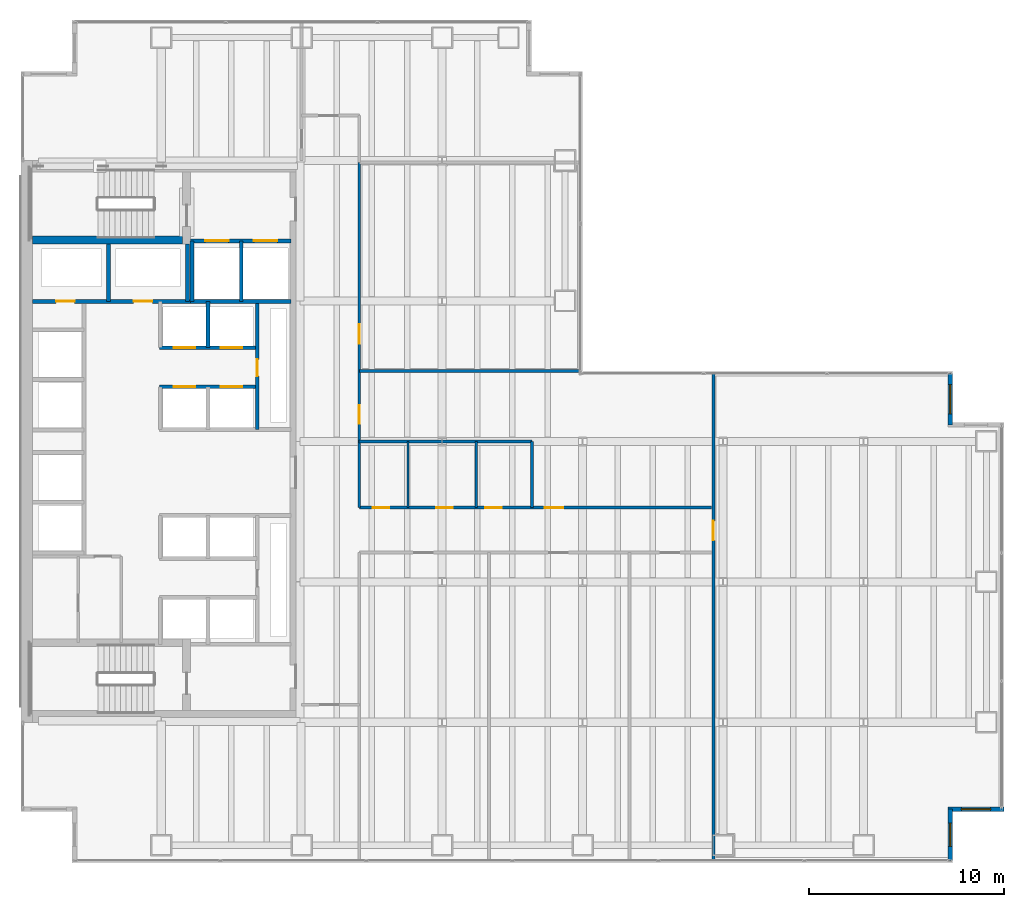
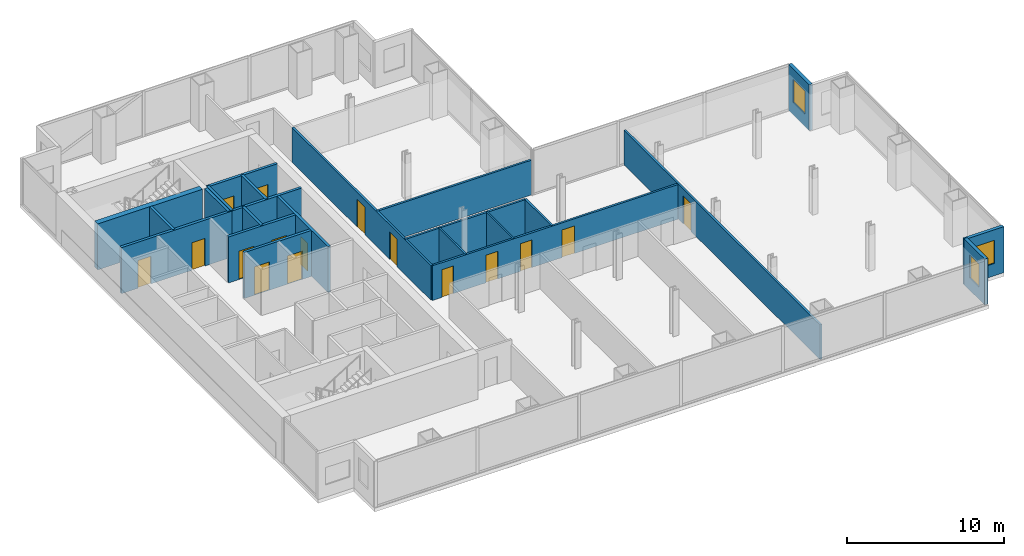
# One storey, part 21 of 25: 23 walls, 16 doors, 3 windows, 19 openings.
"""IFC4 building model written with IfcOpenShell, lengths in metres."""

from ifc_helpers import new_model, si_unit, direction, frame, frame_2d, origin, place, context, subcontext, project, spatial, rectangle, extrude, material, layer, layer_set, type_object, element, fill, save


model = new_model("IFC4")

# Units and contexts
model_context = context("Model", 3, precision=1e-05, world=origin(), true_north=direction((0.0, 1.0)))
body_context = subcontext(model_context, "Body", "Model", "MODEL_VIEW")
ifc_project = project(units=[si_unit("LENGTHUNIT", "METRE"), si_unit("AREAUNIT", "SQUARE_METRE"), si_unit("VOLUMEUNIT", "CUBIC_METRE"), si_unit("PLANEANGLEUNIT", "RADIAN"), si_unit("MASSUNIT", "GRAM", prefix="KILO")], contexts=[model_context])

# Site, building, storey
site_placement = place(None, origin())
site = spatial("IfcSite", under=ifc_project, at=site_placement, CompositionType="ELEMENT")
building_placement = place(site_placement, origin())
building = spatial("IfcBuilding", under=site, at=building_placement, Name="Cobrela Telecom Tower", CompositionType="ELEMENT")
storey_placement = place(building_placement, frame((0.0, 0.0, 42.699951171875)))
storey = spatial("IfcBuildingStorey", under=building, at=storey_placement, Name="L10", CompositionType="ELEMENT", Elevation=42.699951171875)

# Wall, opening, window
ifc_material_1 = material(Name="Concrete C40/50", Category="concrete")
ifc_layer_1 = layer(ifc_material_1, 0.239990234375)
ifc_layer_set_1 = layer_set([ifc_layer_1], Name="Concrete C40/50")
wall_type_1 = type_object("IfcWallType", Name="WALL-EXT-300", PredefinedType="STANDARD", material=ifc_layer_set_1)
wall_1_placement = place(storey_placement, frame((47.64990234375, 25.080078125, 0.0), z_axis=(0.0, 0.0, 1.0), x_axis=(0.0, -1.0, 0.0)))
wall_1 = element("IfcWall", 1, at=wall_1_placement, inside=storey, type_object=wall_type_1, Name="L10 Insulated Facade Wall 12", PredefinedType="STANDARD", context=body_context, shape_type="SweptSolid", body=[
    extrude(rectangle(XDim=2.630126953125, YDim=0.239990234375, at=frame_2d((1.31494140625, 0.0))), origin(), (0.0, 0.0, 1.0), 3.570068359375),
])
opening_1_placement = place(wall_1_placement, frame((0.56494140625, 0.0, 0.949951171875)))
opening_1 = element("IfcOpeningElement", 2, at=opening_1_placement, cuts=wall_1, Name="Opening WN-45", PredefinedType="OPENING", context=body_context, shape_type="SweptSolid", body=[
    extrude(rectangle(XDim=1.5, YDim=1.800048828125, at=frame_2d((0.75, 0.89990234375))), frame((0.0, 0.1318359375, 0.0), z_axis=(0.0, -1.0, 0.0), x_axis=(1.0, 0.0, 0.0)), (0.0, 0.0, 1.0), 0.263916015625),
])
ifc_material_2 = material(Name="Solar-Control Bronze Low-E Glass", Category="glass")
window_type_1 = type_object("IfcWindowType", Name="WIN-MOD-1500", PartitioningType="SINGLE_PANEL", PredefinedType="WINDOW", material=ifc_material_2)
window_1_placement = place(opening_1_placement, origin())
window_1 = element("IfcWindow", 3, at=window_1_placement, inside=storey, type_object=window_type_1, Name="L10 Corner Notch Facade Window 046", OverallHeight=1.800048828125, OverallWidth=1.5, PartitioningType="SINGLE_PANEL", PredefinedType="WINDOW", context=body_context, shape_type="SweptSolid", body=[
    extrude(rectangle(XDim=1.5, YDim=1.800048828125, at=frame_2d((0.75, 0.89990234375))), frame((0.0, 0.030029296875, 0.0), z_axis=(0.0, -1.0, 0.0), x_axis=(1.0, 0.0, 0.0)), (0.0, 0.0, 1.0), 0.06005859375),
])
fill(opening_1, window_1)

wall_2_placement = place(storey_placement, frame((50.39990234375, 2.75, 0.0), z_axis=(0.0, 0.0, 1.0), x_axis=(-1.0, 0.0, 0.0)))
wall_2 = element("IfcWall", 4, at=wall_2_placement, inside=storey, type_object=wall_type_1, Name="L10 Insulated Facade Wall 15", PredefinedType="STANDARD", context=body_context, shape_type="SweptSolid", body=[
    extrude(rectangle(XDim=2.869873046875, YDim=0.239990234375, at=frame_2d((1.43505859375, 0.0))), origin(), (0.0, 0.0, 1.0), 3.570068359375),
])
opening_2_placement = place(wall_2_placement, frame((0.68505859375, 0.0, 0.949951171875)))
opening_2 = element("IfcOpeningElement", 5, at=opening_2_placement, cuts=wall_2, Name="Opening WN-45", PredefinedType="OPENING", context=body_context, shape_type="SweptSolid", body=[
    extrude(rectangle(XDim=1.5, YDim=1.800048828125, at=frame_2d((0.75, 0.89990234375))), frame((0.0, 0.1318359375, 0.0), z_axis=(0.0, -1.0, 0.0), x_axis=(1.0, 0.0, 0.0)), (0.0, 0.0, 1.0), 0.263916015625),
])
window_2_placement = place(opening_2_placement, origin())
window_2 = element("IfcWindow", 6, at=window_2_placement, inside=storey, type_object=window_type_1, Name="L10 Corner Notch Facade Window 048", OverallHeight=1.800048828125, OverallWidth=1.5, PartitioningType="SINGLE_PANEL", PredefinedType="WINDOW", context=body_context, shape_type="SweptSolid", body=[
    extrude(rectangle(XDim=1.5, YDim=1.800048828125, at=frame_2d((0.75, 0.89990234375))), frame((0.0, 0.030029296875, 0.0), z_axis=(0.0, -1.0, 0.0), x_axis=(1.0, 0.0, 0.0)), (0.0, 0.0, 1.0), 0.06005859375),
])
fill(opening_2, window_2)

wall_3_placement = place(storey_placement, frame((47.64990234375, 2.75, 0.0), z_axis=(0.0, 0.0, 1.0), x_axis=(0.0, -1.0, 0.0)))
wall_3 = element("IfcWall", 7, at=wall_3_placement, inside=storey, type_object=wall_type_1, Name="L10 Insulated Facade Wall 16", PredefinedType="STANDARD", context=body_context, shape_type="SweptSolid", body=[
    extrude(rectangle(XDim=2.6298828125, YDim=0.239990234375, at=frame_2d((1.31494140625, 0.0))), origin(), (0.0, 0.0, 1.0), 3.570068359375),
])
opening_3_placement = place(wall_3_placement, frame((0.715087890625, 0.0, 0.949951171875)))
opening_3 = element("IfcOpeningElement", 8, at=opening_3_placement, cuts=wall_3, Name="Opening WN-19", PredefinedType="OPENING", context=body_context, shape_type="SweptSolid", body=[
    extrude(rectangle(XDim=1.199951171875, YDim=1.800048828125, at=frame_2d((0.60009765625, 0.89990234375))), frame((0.0, 0.1318359375, 0.0), z_axis=(0.0, -1.0, 0.0), x_axis=(1.0, 0.0, 0.0)), (0.0, 0.0, 1.0), 0.263916015625),
])
window_type_2 = type_object("IfcWindowType", Name="WIN-MOD-1200", PartitioningType="SINGLE_PANEL", PredefinedType="WINDOW", material=ifc_material_2)
window_3_placement = place(opening_3_placement, origin())
window_3 = element("IfcWindow", 9, at=window_3_placement, inside=storey, type_object=window_type_2, Name="L10 Corner Notch Facade Window 049", OverallHeight=1.800048828125, OverallWidth=1.199951171875, PartitioningType="SINGLE_PANEL", PredefinedType="WINDOW", context=body_context, shape_type="SweptSolid", body=[
    extrude(rectangle(XDim=1.199951171875, YDim=1.800048828125, at=frame_2d((0.60009765625, 0.89990234375))), frame((0.0, 0.030029296875, 0.0), z_axis=(0.0, -1.0, 0.0), x_axis=(1.0, 0.0, 0.0)), (0.0, 0.0, 1.0), 0.06005859375),
])
fill(opening_3, window_3)

# Walls
ifc_material_3 = material(Name="Fire-Rated Gypsum Plasterboard")
ifc_layer_2 = layer(ifc_material_3, 0.125)
ifc_layer_set_2 = layer_set([ifc_layer_2], Name="Fire-Rated Gypsum Plasterboard")
wall_type_2 = type_object("IfcWallType", Name="WALL-PART-125", PredefinedType="PARTITIONING", material=ifc_layer_set_2)
for number, where, z_axis, x_axis, name in (
    (10, (19.85009765625, 18.199951171875, 0.0), (0.0, 0.0, 1.0), (0.0, 1.0, 0.0), "L10 Interior Partition W-WCV-1"),
    (11, (23.35009765625, 18.199951171875, 0.0), (0.0, 0.0, 1.0), (0.0, 1.0, 0.0), "L10 Interior Partition W-WCV-2"),
):
    element("IfcWall", number, at=place(storey_placement, frame(where, z_axis=z_axis, x_axis=x_axis)), inside=storey, type_object=wall_type_2, Name=name, PredefinedType="PARTITIONING", context=body_context, shape_type="SweptSolid", body=[
        extrude(rectangle(XDim=3.400146484375, YDim=0.125, at=frame_2d((1.7001953125, 0.0))), origin(), (0.0, 0.0, 1.0), 2.698974609375),
    ])

# Wall, openings, doors
ifc_layer_3 = layer(ifc_material_3, 0.14990234375)
ifc_layer_set_3 = layer_set([ifc_layer_3], Name="Fire-Rated Gypsum Plasterboard")
wall_type_3 = type_object("IfcWallType", Name="WALL-PART-150", PredefinedType="PARTITIONING", material=ifc_layer_set_3)
wall_4_placement = place(storey_placement, frame((17.35009765625, 18.199951171875, 0.0), z_axis=(0.0, 0.0, 1.0), x_axis=(0.0, 1.0, 0.0)))
wall_4 = element("IfcWall", 12, at=wall_4_placement, inside=storey, type_object=wall_type_3, Name="L10 Interior Partition W-C-E2", PredefinedType="PARTITIONING", context=body_context, shape_type="SweptSolid", body=[
    extrude(rectangle(XDim=17.699951171875, YDim=0.14990234375, at=frame_2d((8.85009765625, 0.0))), origin(), (0.0, 0.0, 1.0), 2.698974609375),
])
opening_4_placement = place(wall_4_placement, frame((4.300048828125, 0.0, 0.0)))
opening_4 = element("IfcOpeningElement", 13, at=opening_4_placement, cuts=wall_4, Name="Opening DR-67", PredefinedType="OPENING", context=body_context, shape_type="SweptSolid", body=[
    extrude(rectangle(XDim=0.949951171875, YDim=2.14990234375, at=frame_2d((0.47509765625, 1.074951171875))), frame((0.0, 0.0869140625, 0.0), z_axis=(0.0, -1.0, 0.0), x_axis=(1.0, 0.0, 0.0)), (0.0, 0.0, 1.0), 0.173828125),
])
opening_5_placement = place(wall_4_placement, frame((8.39990234375, 0.0, 0.0)))
opening_5 = element("IfcOpeningElement", 14, at=opening_5_placement, cuts=wall_4, Name="Opening DR-31", PredefinedType="OPENING", context=body_context, shape_type="SweptSolid", body=[
    extrude(rectangle(XDim=1.0, YDim=2.14990234375, at=frame_2d((0.5, 1.074951171875))), frame((0.0, 0.0869140625, 0.0), z_axis=(0.0, -1.0, 0.0), x_axis=(1.0, 0.0, 0.0)), (0.0, 0.0, 1.0), 0.173828125),
])
ifc_material_4 = material(Name="Solid Engineered Oak Timber", Category="wood")
door_type_1 = type_object("IfcDoorType", Name="DOOR-INT-1000", OperationType="SINGLE_SWING_LEFT", PredefinedType="DOOR", material=ifc_material_4)
door_1_placement = place(opening_5_placement, origin())
door_1 = element("IfcDoor", 15, at=door_1_placement, inside=storey, type_object=door_type_1, Name="L10 Door DR-31", OperationType="SINGLE_SWING_LEFT", OverallHeight=2.14990234375, OverallWidth=1.0, PredefinedType="DOOR", context=body_context, shape_type="SweptSolid", body=[
    extrude(rectangle(XDim=1.0, YDim=2.14990234375, at=frame_2d((0.5, 1.074951171875))), frame((0.0, 0.02490234375, 0.0), z_axis=(0.0, -1.0, 0.0), x_axis=(1.0, 0.0, 0.0)), (0.0, 0.0, 1.0), 0.050048828125),
])
fill(opening_5, door_1)
door_type_2 = type_object("IfcDoorType", Name="DOOR-INT-950", OperationType="SINGLE_SWING_LEFT", PredefinedType="DOOR", material=ifc_material_4)
door_2_placement = place(opening_4_placement, origin())
door_2 = element("IfcDoor", 16, at=door_2_placement, inside=storey, type_object=door_type_2, Name="L10 Door DR-67", OperationType="SINGLE_SWING_RIGHT", OverallHeight=2.14990234375, OverallWidth=0.949951171875, PredefinedType="DOOR", context=body_context, shape_type="SweptSolid", body=[
    extrude(rectangle(XDim=0.949951171875, YDim=2.14990234375, at=frame_2d((0.47509765625, 1.074951171875))), frame((0.0, 0.02490234375, 0.0), z_axis=(0.0, -1.0, 0.0), x_axis=(1.0, 0.0, 0.0)), (0.0, 0.0, 1.0), 0.050048828125),
])
fill(opening_4, door_2)

wall_5_placement = place(storey_placement, frame((17.35009765625, 18.199951171875, 0.0), z_axis=(0.0, 0.0, 1.0), x_axis=(1.0, 0.0, 0.0)))
wall_5 = element("IfcWall", 17, at=wall_5_placement, inside=storey, type_object=wall_type_3, Name="L10 Interior Partition W-C-HN", PredefinedType="PARTITIONING", context=body_context, shape_type="SweptSolid", body=[
    extrude(rectangle(XDim=18.0498046875, YDim=0.14990234375, at=frame_2d((9.02490234375, 0.0))), origin(), (0.0, 0.0, 1.0), 2.698974609375),
])
opening_6_placement = place(wall_5_placement, frame((0.699951171875, 0.0, 0.0)))
opening_6 = element("IfcOpeningElement", 18, at=opening_6_placement, cuts=wall_5, Name="Opening DR-11", PredefinedType="OPENING", context=body_context, shape_type="SweptSolid", body=[
    extrude(rectangle(XDim=0.85009765625, YDim=2.14990234375, at=frame_2d((0.425048828125, 1.074951171875))), frame((0.0, 0.0869140625, 0.0), z_axis=(0.0, -1.0, 0.0), x_axis=(1.0, 0.0, 0.0)), (0.0, 0.0, 1.0), 0.173828125),
])
opening_7_placement = place(wall_5_placement, frame((3.949951171875, 0.0, 0.0)))
opening_7 = element("IfcOpeningElement", 19, at=opening_7_placement, cuts=wall_5, Name="Opening DR-11", PredefinedType="OPENING", context=body_context, shape_type="SweptSolid", body=[
    extrude(rectangle(XDim=0.85009765625, YDim=2.14990234375, at=frame_2d((0.425048828125, 1.074951171875))), frame((0.0, 0.0869140625, 0.0), z_axis=(0.0, -1.0, 0.0), x_axis=(1.0, 0.0, 0.0)), (0.0, 0.0, 1.0), 0.173828125),
])
opening_8_placement = place(wall_5_placement, frame((6.4599609375, 0.0, 0.0)))
opening_8 = element("IfcOpeningElement", 20, at=opening_8_placement, cuts=wall_5, Name="Opening DR-11", PredefinedType="OPENING", context=body_context, shape_type="SweptSolid", body=[
    extrude(rectangle(XDim=0.85009765625, YDim=2.14990234375, at=frame_2d((0.425048828125, 1.074951171875))), frame((0.0, 0.0869140625, 0.0), z_axis=(0.0, -1.0, 0.0), x_axis=(1.0, 0.0, 0.0)), (0.0, 0.0, 1.0), 0.173828125),
])
opening_9_placement = place(wall_5_placement, frame((9.5, 0.0, 0.0)))
opening_9 = element("IfcOpeningElement", 21, at=opening_9_placement, cuts=wall_5, Name="Opening DR-67", PredefinedType="OPENING", context=body_context, shape_type="SweptSolid", body=[
    extrude(rectangle(XDim=0.949951171875, YDim=2.14990234375, at=frame_2d((0.47509765625, 1.074951171875))), frame((0.0, 0.0869140625, 0.0), z_axis=(0.0, -1.0, 0.0), x_axis=(1.0, 0.0, 0.0)), (0.0, 0.0, 1.0), 0.173828125),
])
door_type_3 = type_object("IfcDoorType", Name="DOOR-INT-850", OperationType="SINGLE_SWING_LEFT", PredefinedType="DOOR", material=ifc_material_4)
door_3_placement = place(opening_6_placement, origin())
door_3 = element("IfcDoor", 22, at=door_3_placement, inside=storey, type_object=door_type_3, Name="L10 Door DR-11", OperationType="SINGLE_SWING_LEFT", OverallHeight=2.14990234375, OverallWidth=0.85009765625, PredefinedType="DOOR", context=body_context, shape_type="SweptSolid", body=[
    extrude(rectangle(XDim=0.85009765625, YDim=2.14990234375, at=frame_2d((0.425048828125, 1.074951171875))), frame((0.0, 0.02490234375, 0.0), z_axis=(0.0, -1.0, 0.0), x_axis=(1.0, 0.0, 0.0)), (0.0, 0.0, 1.0), 0.050048828125),
])
fill(opening_6, door_3)
door_4_placement = place(opening_7_placement, origin())
door_4 = element("IfcDoor", 23, at=door_4_placement, inside=storey, type_object=door_type_3, Name="L10 Door DR-11", OperationType="SINGLE_SWING_RIGHT", OverallHeight=2.14990234375, OverallWidth=0.85009765625, PredefinedType="DOOR", context=body_context, shape_type="SweptSolid", body=[
    extrude(rectangle(XDim=0.85009765625, YDim=2.14990234375, at=frame_2d((0.425048828125, 1.074951171875))), frame((0.0, 0.02490234375, 0.0), z_axis=(0.0, -1.0, 0.0), x_axis=(1.0, 0.0, 0.0)), (0.0, 0.0, 1.0), 0.050048828125),
])
fill(opening_7, door_4)
door_5_placement = place(opening_8_placement, origin())
door_5 = element("IfcDoor", 24, at=door_5_placement, inside=storey, type_object=door_type_3, Name="L10 Door DR-11", OperationType="SINGLE_SWING_LEFT", OverallHeight=2.14990234375, OverallWidth=0.85009765625, PredefinedType="DOOR", context=body_context, shape_type="SweptSolid", body=[
    extrude(rectangle(XDim=0.85009765625, YDim=2.14990234375, at=frame_2d((0.425048828125, 1.074951171875))), frame((0.0, 0.02490234375, 0.0), z_axis=(0.0, -1.0, 0.0), x_axis=(1.0, 0.0, 0.0)), (0.0, 0.0, 1.0), 0.050048828125),
])
fill(opening_8, door_5)
door_6_placement = place(opening_9_placement, origin())
door_6 = element("IfcDoor", 25, at=door_6_placement, inside=storey, type_object=door_type_2, Name="L10 Door DR-67", OperationType="SINGLE_SWING_RIGHT", OverallHeight=2.14990234375, OverallWidth=0.949951171875, PredefinedType="DOOR", context=body_context, shape_type="SweptSolid", body=[
    extrude(rectangle(XDim=0.949951171875, YDim=2.14990234375, at=frame_2d((0.47509765625, 1.074951171875))), frame((0.0, 0.02490234375, 0.0), z_axis=(0.0, -1.0, 0.0), x_axis=(1.0, 0.0, 0.0)), (0.0, 0.0, 1.0), 0.050048828125),
])
fill(opening_9, door_6)

# Wall, opening, door
wall_6_placement = place(storey_placement, frame((35.5, 0.1201171875, 0.0), z_axis=(0.0, 0.0, 1.0), x_axis=(0.0, 1.0, 0.0)))
wall_6 = element("IfcWall", 26, at=wall_6_placement, inside=storey, type_object=wall_type_3, Name="L10 Interior Partition W-C-END", PredefinedType="PARTITIONING", context=body_context, shape_type="SweptSolid", body=[
    extrude(rectangle(XDim=24.9599609375, YDim=0.14990234375, at=frame_2d((12.47998046875, 0.0))), origin(), (0.0, 0.0, 1.0), 2.698974609375),
])
opening_10_placement = place(wall_6_placement, frame((16.39990234375, 0.0, 0.0)))
opening_10 = element("IfcOpeningElement", 27, at=opening_10_placement, cuts=wall_6, Name="Opening DR-31", PredefinedType="OPENING", context=body_context, shape_type="SweptSolid", body=[
    extrude(rectangle(XDim=1.0, YDim=2.14990234375, at=frame_2d((0.5, 1.074951171875))), frame((0.0, 0.0869140625, 0.0), z_axis=(0.0, -1.0, 0.0), x_axis=(1.0, 0.0, 0.0)), (0.0, 0.0, 1.0), 0.173828125),
])
door_7_placement = place(opening_10_placement, origin())
door_7 = element("IfcDoor", 28, at=door_7_placement, inside=storey, type_object=door_type_1, Name="L10 Door DR-31", OperationType="SINGLE_SWING_LEFT", OverallHeight=2.14990234375, OverallWidth=1.0, PredefinedType="DOOR", context=body_context, shape_type="SweptSolid", body=[
    extrude(rectangle(XDim=1.0, YDim=2.14990234375, at=frame_2d((0.5, 1.074951171875))), frame((0.0, 0.02490234375, 0.0), z_axis=(0.0, -1.0, 0.0), x_axis=(1.0, 0.0, 0.0)), (0.0, 0.0, 1.0), 0.050048828125),
])
fill(opening_10, door_7)

# Walls
wall_7_placement = place(storey_placement, frame((17.35009765625, 21.60009765625, 0.0), z_axis=(0.0, 0.0, 1.0), x_axis=(1.0, 0.0, 0.0)))
element("IfcWall", 29, at=wall_7_placement, inside=storey, type_object=wall_type_3, Name="L10 Interior Partition W-WC-N", PredefinedType="PARTITIONING", context=body_context, shape_type="SweptSolid", body=[
    extrude(rectangle(XDim=8.849853515625, YDim=0.14990234375, at=frame_2d((4.4248046875, 0.0))), origin(), (0.0, 0.0, 1.0), 2.698974609375),
])
wall_8_placement = place(storey_placement, frame((26.199951171875, 18.199951171875, 0.0), z_axis=(0.0, 0.0, 1.0), x_axis=(0.0, 1.0, 0.0)))
element("IfcWall", 30, at=wall_8_placement, inside=storey, type_object=wall_type_3, Name="L10 Interior Partition W-WC-R", PredefinedType="PARTITIONING", context=body_context, shape_type="SweptSolid", body=[
    extrude(rectangle(XDim=3.400146484375, YDim=0.14990234375, at=frame_2d((1.7001953125, 0.0))), origin(), (0.0, 0.0, 1.0), 2.698974609375),
])
wall_9_placement = place(storey_placement, frame((17.35009765625, 25.199951171875, 0.0), z_axis=(0.0, 0.0, 1.0), x_axis=(1.0, 0.0, 0.0)))
element("IfcWall", 31, at=wall_9_placement, inside=storey, type_object=wall_type_3, Name="L10 Interior Partition W-NPAN-T", PredefinedType="PARTITIONING", context=body_context, shape_type="SweptSolid", body=[
    extrude(rectangle(XDim=11.329833984375, YDim=0.14990234375, at=frame_2d((5.6650390625, 0.0))), origin(), (0.0, 0.0, 1.0), 2.698974609375),
])

# Wall, openings, doors
ifc_layer_4 = layer(ifc_material_3, 0.199951171875)
ifc_layer_set_4 = layer_set([ifc_layer_4], Name="Fire-Rated Gypsum Plasterboard")
wall_type_4 = type_object("IfcWallType", Name="WALL-SHAFT-200", PredefinedType="PARTITIONING", material=ifc_layer_set_4)
wall_10_placement = place(storey_placement, frame((8.699951171875, 31.8798828125, 0.0), z_axis=(0.0, 0.0, 1.0), x_axis=(1.0, 0.0, 0.0)))
wall_10 = element("IfcWall", 32, at=wall_10_placement, inside=storey, type_object=wall_type_4, Name="L10 Shaft Enclosure CW-FFL-S", PredefinedType="PARTITIONING", context=body_context, shape_type="SweptSolid", body=[
    extrude(rectangle(XDim=5.150146484375, YDim=0.199951171875, at=frame_2d((2.5751953125, 0.0))), origin(), (0.0, 0.0, 1.0), 3.570068359375),
])
opening_11_placement = place(wall_10_placement, frame((0.75, 0.0, 0.0)))
opening_11 = element("IfcOpeningElement", 33, at=opening_11_placement, cuts=wall_10, Name="Opening LD-2", PredefinedType="OPENING", context=body_context, shape_type="SweptSolid", body=[
    extrude(rectangle(XDim=1.199951171875, YDim=2.199951171875, at=frame_2d((0.60009765625, 1.10009765625))), frame((0.0, 0.11181640625, 0.0), z_axis=(0.0, -1.0, 0.0), x_axis=(1.0, 0.0, 0.0)), (0.0, 0.0, 1.0), 0.223876953125),
])
opening_12_placement = place(wall_10_placement, frame((3.25, 0.0, 0.0)))
opening_12 = element("IfcOpeningElement", 34, at=opening_12_placement, cuts=wall_10, Name="Opening LD-2", PredefinedType="OPENING", context=body_context, shape_type="SweptSolid", body=[
    extrude(rectangle(XDim=1.199951171875, YDim=2.199951171875, at=frame_2d((0.60009765625, 1.10009765625))), frame((0.0, 0.11181640625, 0.0), z_axis=(0.0, -1.0, 0.0), x_axis=(1.0, 0.0, 0.0)), (0.0, 0.0, 1.0), 0.223876953125),
])
ifc_material_5 = material(Name="Steel ASTM A36", Category="steel")
door_type_4 = type_object("IfcDoorType", Name="DOOR-LD-FFL", OperationType="SINGLE_SWING_LEFT", PredefinedType="DOOR", material=ifc_material_5)
door_8_placement = place(opening_11_placement, origin())
door_8 = element("IfcDoor", 35, at=door_8_placement, inside=storey, type_object=door_type_4, Name="L10 Lift Landing Door LD-2", OperationType="DOUBLE_DOOR_SLIDING", OverallHeight=2.199951171875, OverallWidth=1.199951171875, PredefinedType="DOOR", context=body_context, shape_type="SweptSolid", body=[
    extrude(rectangle(XDim=1.199951171875, YDim=2.199951171875, at=frame_2d((0.60009765625, 1.10009765625))), frame((0.0, 0.02490234375, 0.0), z_axis=(0.0, -1.0, 0.0), x_axis=(1.0, 0.0, 0.0)), (0.0, 0.0, 1.0), 0.050048828125),
])
fill(opening_11, door_8)
door_9_placement = place(opening_12_placement, origin())
door_9 = element("IfcDoor", 36, at=door_9_placement, inside=storey, type_object=door_type_4, Name="L10 Lift Landing Door LD-2", OperationType="DOUBLE_DOOR_SLIDING", OverallHeight=2.199951171875, OverallWidth=1.199951171875, PredefinedType="DOOR", context=body_context, shape_type="SweptSolid", body=[
    extrude(rectangle(XDim=1.199951171875, YDim=2.199951171875, at=frame_2d((0.60009765625, 1.10009765625))), frame((0.0, 0.02490234375, 0.0), z_axis=(0.0, -1.0, 0.0), x_axis=(1.0, 0.0, 0.0)), (0.0, 0.0, 1.0), 0.050048828125),
])
fill(opening_12, door_9)

# Walls
wall_11_placement = place(storey_placement, frame((8.699951171875, 28.780029296875, 0.0), z_axis=(0.0, 0.0, 1.0), x_axis=(1.0, 0.0, 0.0)))
element("IfcWall", 37, at=wall_11_placement, inside=storey, type_object=wall_type_4, Name="L10 Shaft Enclosure CW-FFL-S2", PredefinedType="PARTITIONING", context=body_context, shape_type="SweptSolid", body=[
    extrude(rectangle(XDim=5.150146484375, YDim=0.199951171875, at=frame_2d((2.5751953125, 0.0))), origin(), (0.0, 0.0, 1.0), 3.570068359375),
])
for number, where, z_axis, x_axis, name in (
    (38, (8.780029296875, 28.780029296875, 0.0), (0.0, 0.0, 1.0), (0.0, 1.0, 0.0), "L10 Shaft Enclosure CW-FFL-W"),
    (39, (11.300048828125, 28.780029296875, 0.0), (0.0, 0.0, 1.0), (0.0, 1.0, 0.0), "L10 Shaft Enclosure CW-FFL-M"),
):
    element("IfcWall", number, at=place(storey_placement, frame(where, z_axis=z_axis, x_axis=x_axis)), inside=storey, type_object=wall_type_4, Name=name, PredefinedType="PARTITIONING", context=body_context, shape_type="SweptSolid", body=[
        extrude(rectangle(XDim=3.099853515625, YDim=0.199951171875, at=frame_2d((1.5498046875, 0.0))), origin(), (0.0, 0.0, 1.0), 3.570068359375),
    ])

# Wall, openings, doors
wall_12_placement = place(storey_placement, frame((0.60009765625, 28.780029296875, 0.0), z_axis=(0.0, 0.0, 1.0), x_axis=(1.0, 0.0, 0.0)))
wall_12 = element("IfcWall", 40, at=wall_12_placement, inside=storey, type_object=wall_type_4, Name="L10 Shaft Enclosure CW-RIS-S", PredefinedType="PARTITIONING", context=body_context, shape_type="SweptSolid", body=[
    extrude(rectangle(XDim=8.179931640625, YDim=0.199951171875, at=frame_2d((4.08984375, 0.0))), origin(), (0.0, 0.0, 1.0), 3.570068359375),
])
opening_13_placement = place(wall_12_placement, frame((1.2099609375, 0.0, 0.0)))
opening_13 = element("IfcOpeningElement", 41, at=opening_13_placement, cuts=wall_12, Name="Opening DR-65", PredefinedType="OPENING", context=body_context, shape_type="SweptSolid", body=[
    extrude(rectangle(XDim=0.949951171875, YDim=2.14990234375, at=frame_2d((0.47509765625, 1.074951171875))), frame((0.0, 0.11181640625, 0.0), z_axis=(0.0, -1.0, 0.0), x_axis=(1.0, 0.0, 0.0)), (0.0, 0.0, 1.0), 0.223876953125),
])
opening_14_placement = place(wall_12_placement, frame((5.18994140625, 0.0, 0.0)))
opening_14 = element("IfcOpeningElement", 42, at=opening_14_placement, cuts=wall_12, Name="Opening DR-65", PredefinedType="OPENING", context=body_context, shape_type="SweptSolid", body=[
    extrude(rectangle(XDim=0.949951171875, YDim=2.14990234375, at=frame_2d((0.47509765625, 1.074951171875))), frame((0.0, 0.11181640625, 0.0), z_axis=(0.0, -1.0, 0.0), x_axis=(1.0, 0.0, 0.0)), (0.0, 0.0, 1.0), 0.223876953125),
])
door_type_5 = type_object("IfcDoorType", Name="DOOR-FD60-950", OperationType="SINGLE_SWING_LEFT", PredefinedType="DOOR", material=ifc_material_5)
door_10_placement = place(opening_13_placement, origin())
door_10 = element("IfcDoor", 43, at=door_10_placement, inside=storey, type_object=door_type_5, Name="L10 Door DR-65", OperationType="SINGLE_SWING_LEFT", OverallHeight=2.14990234375, OverallWidth=0.949951171875, PredefinedType="DOOR", context=body_context, shape_type="SweptSolid", body=[
    extrude(rectangle(XDim=0.949951171875, YDim=2.14990234375, at=frame_2d((0.47509765625, 1.074951171875))), frame((0.0, 0.02490234375, 0.0), z_axis=(0.0, -1.0, 0.0), x_axis=(1.0, 0.0, 0.0)), (0.0, 0.0, 1.0), 0.050048828125),
])
fill(opening_13, door_10)
door_11_placement = place(opening_14_placement, origin())
door_11 = element("IfcDoor", 44, at=door_11_placement, inside=storey, type_object=door_type_5, Name="L10 Door DR-65", OperationType="SINGLE_SWING_RIGHT", OverallHeight=2.14990234375, OverallWidth=0.949951171875, PredefinedType="DOOR", context=body_context, shape_type="SweptSolid", body=[
    extrude(rectangle(XDim=0.949951171875, YDim=2.14990234375, at=frame_2d((0.47509765625, 1.074951171875))), frame((0.0, 0.02490234375, 0.0), z_axis=(0.0, -1.0, 0.0), x_axis=(1.0, 0.0, 0.0)), (0.0, 0.0, 1.0), 0.050048828125),
])
fill(opening_14, door_11)

# Walls
for number, where, z_axis, x_axis, name in (
    (45, (4.5, 28.780029296875, 0.0), (0.0, 0.0, 1.0), (0.0, 1.0, 0.0), "L10 Shaft Enclosure CW-RIS-M"),
    (46, (8.550048828125, 28.780029296875, 0.0), (0.0, 0.0, 1.0), (0.0, 1.0, 0.0), "L10 Shaft Enclosure CW-RIS-E"),
):
    element("IfcWall", number, at=place(storey_placement, frame(where, z_axis=z_axis, x_axis=x_axis)), inside=storey, type_object=wall_type_4, Name=name, PredefinedType="PARTITIONING", context=body_context, shape_type="SweptSolid", body=[
        extrude(rectangle(XDim=2.93994140625, YDim=0.199951171875, at=frame_2d((1.469970703125, 0.0))), origin(), (0.0, 0.0, 1.0), 3.570068359375),
    ])

# Wall, openings, doors
wall_13_placement = place(storey_placement, frame((7.10009765625, 24.39990234375, 0.0), z_axis=(0.0, 0.0, 1.0), x_axis=(1.0, 0.0, 0.0)))
wall_13 = element("IfcWall", 47, at=wall_13_placement, inside=storey, type_object=wall_type_4, Name="L10 Shaft Enclosure CW-PLL-S", PredefinedType="PARTITIONING", context=body_context, shape_type="SweptSolid", body=[
    extrude(rectangle(XDim=5.02001953125, YDim=0.199951171875, at=frame_2d((2.510009765625, 0.0))), origin(), (0.0, 0.0, 1.0), 3.570068359375),
])
opening_15_placement = place(wall_13_placement, frame((0.75, 0.0, 0.0)))
opening_15 = element("IfcOpeningElement", 48, at=opening_15_placement, cuts=wall_13, Name="Opening LD-1", PredefinedType="OPENING", context=body_context, shape_type="SweptSolid", body=[
    extrude(rectangle(XDim=1.10009765625, YDim=2.199951171875, at=frame_2d((0.550048828125, 1.10009765625))), frame((0.0, 0.11181640625, 0.0), z_axis=(0.0, -1.0, 0.0), x_axis=(1.0, 0.0, 0.0)), (0.0, 0.0, 1.0), 0.223876953125),
])
opening_16_placement = place(wall_13_placement, frame((3.14990234375, 0.0, 0.0)))
opening_16 = element("IfcOpeningElement", 49, at=opening_16_placement, cuts=wall_13, Name="Opening LD-1", PredefinedType="OPENING", context=body_context, shape_type="SweptSolid", body=[
    extrude(rectangle(XDim=1.10009765625, YDim=2.199951171875, at=frame_2d((0.550048828125, 1.10009765625))), frame((0.0, 0.11181640625, 0.0), z_axis=(0.0, -1.0, 0.0), x_axis=(1.0, 0.0, 0.0)), (0.0, 0.0, 1.0), 0.223876953125),
])
door_type_6 = type_object("IfcDoorType", Name="DOOR-LD-PL", OperationType="SINGLE_SWING_LEFT", PredefinedType="DOOR", material=ifc_material_5)
door_12_placement = place(opening_15_placement, origin())
door_12 = element("IfcDoor", 50, at=door_12_placement, inside=storey, type_object=door_type_6, Name="L10 Lift Landing Door LD-1", OperationType="DOUBLE_DOOR_SLIDING", OverallHeight=2.199951171875, OverallWidth=1.10009765625, PredefinedType="DOOR", context=body_context, shape_type="SweptSolid", body=[
    extrude(rectangle(XDim=1.10009765625, YDim=2.199951171875, at=frame_2d((0.550048828125, 1.10009765625))), frame((0.0, 0.02490234375, 0.0), z_axis=(0.0, -1.0, 0.0), x_axis=(1.0, 0.0, 0.0)), (0.0, 0.0, 1.0), 0.050048828125),
])
fill(opening_15, door_12)
door_13_placement = place(opening_16_placement, origin())
door_13 = element("IfcDoor", 51, at=door_13_placement, inside=storey, type_object=door_type_6, Name="L10 Lift Landing Door LD-1", OperationType="DOUBLE_DOOR_SLIDING", OverallHeight=2.199951171875, OverallWidth=1.10009765625, PredefinedType="DOOR", context=body_context, shape_type="SweptSolid", body=[
    extrude(rectangle(XDim=1.10009765625, YDim=2.199951171875, at=frame_2d((0.550048828125, 1.10009765625))), frame((0.0, 0.02490234375, 0.0), z_axis=(0.0, -1.0, 0.0), x_axis=(1.0, 0.0, 0.0)), (0.0, 0.0, 1.0), 0.050048828125),
])
fill(opening_16, door_13)

wall_14_placement = place(storey_placement, frame((7.10009765625, 26.39990234375, 0.0), z_axis=(0.0, 0.0, 1.0), x_axis=(1.0, 0.0, 0.0)))
wall_14 = element("IfcWall", 52, at=wall_14_placement, inside=storey, type_object=wall_type_4, Name="L10 Shaft Enclosure CW-PLL-N", PredefinedType="PARTITIONING", context=body_context, shape_type="SweptSolid", body=[
    extrude(rectangle(XDim=5.02001953125, YDim=0.199951171875, at=frame_2d((2.510009765625, 0.0))), origin(), (0.0, 0.0, 1.0), 3.570068359375),
])
opening_17_placement = place(wall_14_placement, frame((0.75, 0.0, 0.0)))
opening_17 = element("IfcOpeningElement", 53, at=opening_17_placement, cuts=wall_14, Name="Opening LD-1", PredefinedType="OPENING", context=body_context, shape_type="SweptSolid", body=[
    extrude(rectangle(XDim=1.10009765625, YDim=2.199951171875, at=frame_2d((0.550048828125, 1.10009765625))), frame((0.0, 0.11181640625, 0.0), z_axis=(0.0, -1.0, 0.0), x_axis=(1.0, 0.0, 0.0)), (0.0, 0.0, 1.0), 0.223876953125),
])
opening_18_placement = place(wall_14_placement, frame((3.14990234375, 0.0, 0.0)))
opening_18 = element("IfcOpeningElement", 54, at=opening_18_placement, cuts=wall_14, Name="Opening LD-1", PredefinedType="OPENING", context=body_context, shape_type="SweptSolid", body=[
    extrude(rectangle(XDim=1.10009765625, YDim=2.199951171875, at=frame_2d((0.550048828125, 1.10009765625))), frame((0.0, 0.11181640625, 0.0), z_axis=(0.0, -1.0, 0.0), x_axis=(1.0, 0.0, 0.0)), (0.0, 0.0, 1.0), 0.223876953125),
])
door_14_placement = place(opening_17_placement, origin())
door_14 = element("IfcDoor", 55, at=door_14_placement, inside=storey, type_object=door_type_6, Name="L10 Lift Landing Door LD-1", OperationType="DOUBLE_DOOR_SLIDING", OverallHeight=2.199951171875, OverallWidth=1.10009765625, PredefinedType="DOOR", context=body_context, shape_type="SweptSolid", body=[
    extrude(rectangle(XDim=1.10009765625, YDim=2.199951171875, at=frame_2d((0.550048828125, 1.10009765625))), frame((0.0, 0.02490234375, 0.0), z_axis=(0.0, -1.0, 0.0), x_axis=(1.0, 0.0, 0.0)), (0.0, 0.0, 1.0), 0.050048828125),
])
fill(opening_17, door_14)
door_15_placement = place(opening_18_placement, origin())
door_15 = element("IfcDoor", 56, at=door_15_placement, inside=storey, type_object=door_type_6, Name="L10 Lift Landing Door LD-1", OperationType="DOUBLE_DOOR_SLIDING", OverallHeight=2.199951171875, OverallWidth=1.10009765625, PredefinedType="DOOR", context=body_context, shape_type="SweptSolid", body=[
    extrude(rectangle(XDim=1.10009765625, YDim=2.199951171875, at=frame_2d((0.550048828125, 1.10009765625))), frame((0.0, 0.02490234375, 0.0), z_axis=(0.0, -1.0, 0.0), x_axis=(1.0, 0.0, 0.0)), (0.0, 0.0, 1.0), 0.050048828125),
])
fill(opening_18, door_15)

# Wall
wall_15_placement = place(storey_placement, frame((9.60009765625, 26.39990234375, 0.0), z_axis=(0.0, 0.0, 1.0), x_axis=(0.0, 1.0, 0.0)))
element("IfcWall", 57, at=wall_15_placement, inside=storey, type_object=wall_type_4, Name="L10 Shaft Enclosure CW-PLL-V2B", PredefinedType="PARTITIONING", context=body_context, shape_type="SweptSolid", body=[
    extrude(rectangle(XDim=2.380126953125, YDim=0.199951171875, at=frame_2d((1.18994140625, 0.0))), origin(), (0.0, 0.0, 1.0), 3.570068359375),
])

# Wall, opening, door
wall_16_placement = place(storey_placement, frame((12.1201171875, 22.199951171875, 0.0), z_axis=(0.0, 0.0, 1.0), x_axis=(0.0, 1.0, 0.0)))
wall_16 = element("IfcWall", 58, at=wall_16_placement, inside=storey, type_object=wall_type_4, Name="L10 Shaft Enclosure CW-PLL-V3", PredefinedType="PARTITIONING", context=body_context, shape_type="SweptSolid", body=[
    extrude(rectangle(XDim=6.580078125, YDim=0.199951171875, at=frame_2d((3.2900390625, 0.0))), origin(), (0.0, 0.0, 1.0), 3.570068359375),
])
opening_19_placement = place(wall_16_placement, frame((2.75, 0.0, 0.0)))
opening_19 = element("IfcOpeningElement", 59, at=opening_19_placement, cuts=wall_16, Name="Opening DR-11", PredefinedType="OPENING", context=body_context, shape_type="SweptSolid", body=[
    extrude(rectangle(XDim=0.85009765625, YDim=2.14990234375, at=frame_2d((0.425048828125, 1.074951171875))), frame((0.0, 0.11181640625, 0.0), z_axis=(0.0, -1.0, 0.0), x_axis=(1.0, 0.0, 0.0)), (0.0, 0.0, 1.0), 0.223876953125),
])
door_16_placement = place(opening_19_placement, origin())
door_16 = element("IfcDoor", 60, at=door_16_placement, inside=storey, type_object=door_type_3, Name="L10 Door DR-11", OperationType="SINGLE_SWING_LEFT", OverallHeight=2.14990234375, OverallWidth=0.85009765625, PredefinedType="DOOR", context=body_context, shape_type="SweptSolid", body=[
    extrude(rectangle(XDim=0.85009765625, YDim=2.14990234375, at=frame_2d((0.425048828125, 1.074951171875))), frame((0.0, 0.02490234375, 0.0), z_axis=(0.0, -1.0, 0.0), x_axis=(1.0, 0.0, 0.0)), (0.0, 0.0, 1.0), 0.050048828125),
])
fill(opening_19, door_16)

# Wall
ifc_layer_5 = layer(ifc_material_1, 0.39990234375)
ifc_layer_set_5 = layer_set([ifc_layer_5], Name="Concrete C40/50")
wall_type_5 = type_object("IfcWallType", Name="WALL-SHAFT-C40-400", PredefinedType="SHEAR", material=ifc_layer_set_5)
wall_17_placement = place(storey_placement, frame((0.60009765625, 31.919921875, 0.0), z_axis=(0.0, 0.0, 1.0), x_axis=(1.0, 0.0, 0.0)))
element("IfcWall", 61, at=wall_17_placement, inside=storey, type_object=wall_type_5, Name="L10 North Stair Shear Wall", PredefinedType="SHEAR", context=body_context, shape_type="SweptSolid", body=[
    extrude(rectangle(XDim=7.699951171875, YDim=0.39990234375, at=frame_2d((3.85009765625, 0.0))), origin(), (0.0, 0.0, 1.0), 3.570068359375),
])

save(model, "model.ifc")
